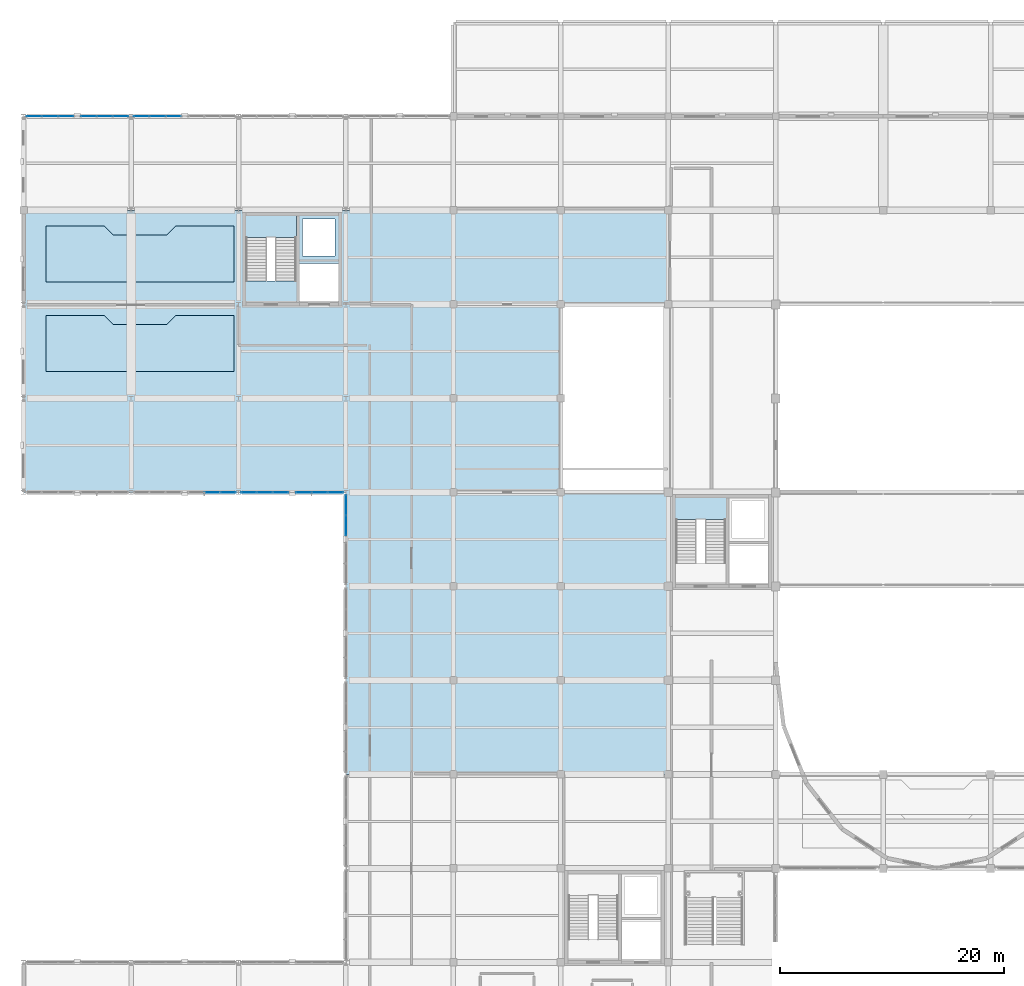
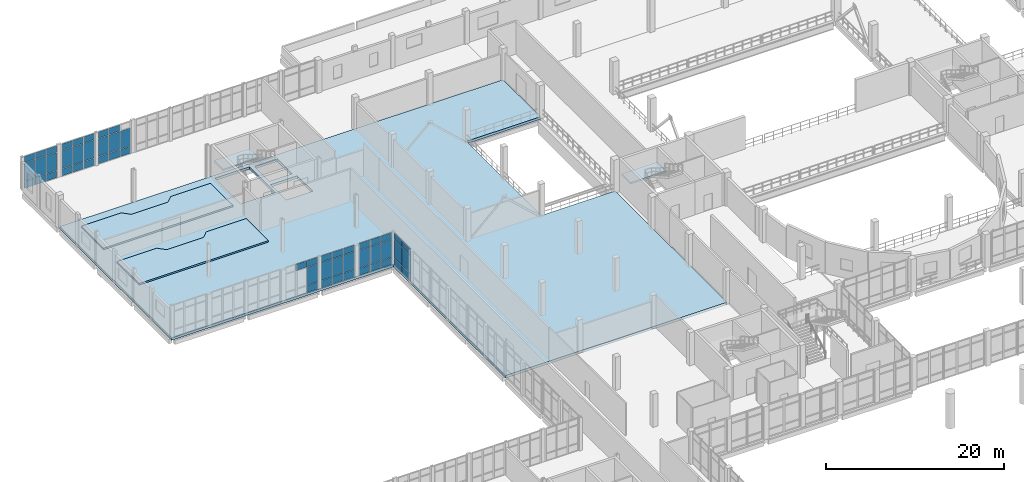
# One storey, part 81 of 102: 54 plates, 5 slabs, 9 elements without a shape of their own.
"""IFC4 building model written with IfcOpenShell, lengths in metres."""

from ifc_helpers import new_model, si_unit, direction, frame, origin, origin_2d, place, context, subcontext, project, spatial, polyline, rectangle, outline, extrude, material, layer, layer_set, type_object, element, aggregate, save


model = new_model("IFC4")

# Units and contexts
model_context = context("Model", 3, precision=1e-05, world=origin(), true_north=direction((0.0, 1.0)))
body_context = subcontext(model_context, "Body", "Model", "MODEL_VIEW")
ifc_project = project(units=[si_unit("LENGTHUNIT", "METRE"), si_unit("AREAUNIT", "SQUARE_METRE"), si_unit("VOLUMEUNIT", "CUBIC_METRE"), si_unit("PLANEANGLEUNIT", "RADIAN"), si_unit("MASSUNIT", "GRAM", prefix="KILO")], contexts=[model_context])

# Site, building, storey
site_placement = place(None, origin())
site = spatial("IfcSite", under=ifc_project, at=site_placement, CompositionType="ELEMENT")
building_placement = place(site_placement, origin())
building = spatial("IfcBuilding", under=site, at=building_placement, Name="Lornevale Opera House", CompositionType="ELEMENT")
storey_placement = place(building_placement, frame((0.0, 0.0, 5.39990234375)))
storey = spatial("IfcBuildingStorey", under=building, at=storey_placement, Name="L02", CompositionType="ELEMENT", Elevation=5.39990234375)

# Curtain wall, plates
ifc_material_1 = material(Name="Anodized Oxide-Green Aluminium Framing", Category="aluminium")
ifc_layer_1 = layer(ifc_material_1, 0.175048828125)
ifc_layer_set_1 = layer_set([ifc_layer_1], Name="Anodized Oxide-Green Aluminium Framing")
curtain_wall_type = type_object("IfcCurtainWallType", Name="Chamber Cloister Curtain Wall M1700", PredefinedType="NOTDEFINED", material=ifc_layer_set_1)
curtain_wall_1_placement = place(storey_placement, origin())
curtain_wall_1 = element("IfcCurtainWall", 1, at=curtain_wall_1_placement, inside=storey, type_object=curtain_wall_type, Name="Chamber Cloister Curtain Wall M1700 CW-027", PredefinedType="NOTDEFINED")
ifc_material_2 = material(Name="Triple Low-E Insulated Glazing", Category="glass")
ifc_layer_2 = layer(ifc_material_2, 0.0419921875)
ifc_layer_set_2 = layer_set([ifc_layer_2], Name="Triple Low-E Insulated Glazing")
plate_type = type_object("IfcPlateType", Name="Ceramic Fritted Bird-Safe Panel 42", PredefinedType="CURTAIN_PANEL", material=ifc_layer_set_2)
plate_1_placement = place(storey_placement, frame((0.930419921875, 100.800048828125, 0.0654296875), z_axis=(0.0, 0.0, 1.0), x_axis=(1.0, 0.0, 0.0)))
plate_1 = element("IfcPlate", 2, at=plate_1_placement, type_object=plate_type, Name="Ceramic Fritted Bird-Safe Panel 42 CW0491", PredefinedType="CURTAIN_PANEL", context=body_context, shape_type="SweptSolid", body=[
    extrude(rectangle(XDim=1.3447265625, YDim=0.0419921875, at=origin_2d()), origin(), (0.0, 0.0, 1.0), 0.952392578125),
])
plate_2_placement = place(storey_placement, frame((0.930419921875, 100.800048828125, 1.08251953125), z_axis=(0.0, 0.0, 1.0), x_axis=(1.0, 0.0, 0.0)))
plate_2 = element("IfcPlate", 3, at=plate_2_placement, type_object=plate_type, Name="Ceramic Fritted Bird-Safe Panel 42 CW0492", PredefinedType="CURTAIN_PANEL", context=body_context, shape_type="SweptSolid", body=[
    extrude(rectangle(XDim=1.3447265625, YDim=0.0419921875, at=origin_2d()), origin(), (0.0, 0.0, 1.0), 2.455078125),
])
plate_3_placement = place(storey_placement, frame((0.930419921875, 100.800048828125, 3.6025390625), z_axis=(0.0, 0.0, 1.0), x_axis=(1.0, 0.0, 0.0)))
plate_3 = element("IfcPlate", 4, at=plate_3_placement, type_object=plate_type, Name="Ceramic Fritted Bird-Safe Panel 42 CW0493", PredefinedType="CURTAIN_PANEL", context=body_context, shape_type="SweptSolid", body=[
    extrude(rectangle(XDim=1.3447265625, YDim=0.0419921875, at=origin_2d()), origin(), (0.0, 0.0, 1.0), 0.8525390625),
])
plate_4_placement = place(storey_placement, frame((2.3564453125, 100.800048828125, 0.0654296875), z_axis=(0.0, 0.0, 1.0), x_axis=(1.0, 0.0, 0.0)))
plate_4 = element("IfcPlate", 5, at=plate_4_placement, type_object=plate_type, Name="Ceramic Fritted Bird-Safe Panel 42 CW0498", PredefinedType="CURTAIN_PANEL", context=body_context, shape_type="SweptSolid", body=[
    extrude(rectangle(XDim=1.377197265625, YDim=0.0419921875, at=origin_2d()), origin(), (0.0, 0.0, 1.0), 0.952392578125),
])
plate_5_placement = place(storey_placement, frame((2.3564453125, 100.800048828125, 1.08251953125), z_axis=(0.0, 0.0, 1.0), x_axis=(1.0, 0.0, 0.0)))
plate_5 = element("IfcPlate", 6, at=plate_5_placement, type_object=plate_type, Name="Ceramic Fritted Bird-Safe Panel 42 CW0499", PredefinedType="CURTAIN_PANEL", context=body_context, shape_type="SweptSolid", body=[
    extrude(rectangle(XDim=1.377197265625, YDim=0.0419921875, at=origin_2d()), origin(), (0.0, 0.0, 1.0), 2.455078125),
])
plate_6_placement = place(storey_placement, frame((2.3564453125, 100.800048828125, 3.6025390625), z_axis=(0.0, 0.0, 1.0), x_axis=(1.0, 0.0, 0.0)))
plate_6 = element("IfcPlate", 7, at=plate_6_placement, type_object=plate_type, Name="Ceramic Fritted Bird-Safe Panel 42 CW0500", PredefinedType="CURTAIN_PANEL", context=body_context, shape_type="SweptSolid", body=[
    extrude(rectangle(XDim=1.377197265625, YDim=0.0419921875, at=origin_2d()), origin(), (0.0, 0.0, 1.0), 0.8525390625),
])
plate_7_placement = place(storey_placement, frame((3.78271484375, 100.800048828125, 0.0654296875), z_axis=(0.0, 0.0, 1.0), x_axis=(1.0, 0.0, 0.0)))
plate_7 = element("IfcPlate", 8, at=plate_7_placement, type_object=plate_type, Name="Ceramic Fritted Bird-Safe Panel 42 CW0505", PredefinedType="CURTAIN_PANEL", context=body_context, shape_type="SweptSolid", body=[
    extrude(rectangle(XDim=1.3447265625, YDim=0.0419921875, at=origin_2d()), origin(), (0.0, 0.0, 1.0), 0.952392578125),
])
plate_8_placement = place(storey_placement, frame((3.78271484375, 100.800048828125, 1.08251953125), z_axis=(0.0, 0.0, 1.0), x_axis=(1.0, 0.0, 0.0)))
plate_8 = element("IfcPlate", 9, at=plate_8_placement, type_object=plate_type, Name="Ceramic Fritted Bird-Safe Panel 42 CW0506", PredefinedType="CURTAIN_PANEL", context=body_context, shape_type="SweptSolid", body=[
    extrude(rectangle(XDim=1.3447265625, YDim=0.0419921875, at=origin_2d()), origin(), (0.0, 0.0, 1.0), 2.455078125),
])
plate_9_placement = place(storey_placement, frame((3.78271484375, 100.800048828125, 3.6025390625), z_axis=(0.0, 0.0, 1.0), x_axis=(1.0, 0.0, 0.0)))
plate_9 = element("IfcPlate", 10, at=plate_9_placement, type_object=plate_type, Name="Ceramic Fritted Bird-Safe Panel 42 CW0507", PredefinedType="CURTAIN_PANEL", context=body_context, shape_type="SweptSolid", body=[
    extrude(rectangle(XDim=1.3447265625, YDim=0.0419921875, at=origin_2d()), origin(), (0.0, 0.0, 1.0), 0.8525390625),
])
aggregate(curtain_wall_1, [plate_1, plate_2, plate_3, plate_4, plate_5, plate_6, plate_7, plate_8, plate_9])

curtain_wall_2_placement = place(storey_placement, origin())
curtain_wall_2 = element("IfcCurtainWall", 11, at=curtain_wall_2_placement, inside=storey, type_object=curtain_wall_type, Name="Chamber Cloister Curtain Wall M1700 CW-028", PredefinedType="NOTDEFINED")
plate_10_placement = place(storey_placement, frame((5.8173828125, 100.800048828125, 0.0654296875), z_axis=(0.0, 0.0, 1.0), x_axis=(1.0, 0.0, 0.0)))
plate_10 = element("IfcPlate", 12, at=plate_10_placement, type_object=plate_type, Name="Ceramic Fritted Bird-Safe Panel 42 CW0516", PredefinedType="CURTAIN_PANEL", context=body_context, shape_type="SweptSolid", body=[
    extrude(rectangle(XDim=1.3447265625, YDim=0.0419921875, at=origin_2d()), origin(), (0.0, 0.0, 1.0), 0.952392578125),
])
plate_11_placement = place(storey_placement, frame((5.8173828125, 100.800048828125, 1.08251953125), z_axis=(0.0, 0.0, 1.0), x_axis=(1.0, 0.0, 0.0)))
plate_11 = element("IfcPlate", 13, at=plate_11_placement, type_object=plate_type, Name="Ceramic Fritted Bird-Safe Panel 42 CW0517", PredefinedType="CURTAIN_PANEL", context=body_context, shape_type="SweptSolid", body=[
    extrude(rectangle(XDim=1.3447265625, YDim=0.0419921875, at=origin_2d()), origin(), (0.0, 0.0, 1.0), 2.455078125),
])
plate_12_placement = place(storey_placement, frame((5.8173828125, 100.800048828125, 3.6025390625), z_axis=(0.0, 0.0, 1.0), x_axis=(1.0, 0.0, 0.0)))
plate_12 = element("IfcPlate", 14, at=plate_12_placement, type_object=plate_type, Name="Ceramic Fritted Bird-Safe Panel 42 CW0518", PredefinedType="CURTAIN_PANEL", context=body_context, shape_type="SweptSolid", body=[
    extrude(rectangle(XDim=1.3447265625, YDim=0.0419921875, at=origin_2d()), origin(), (0.0, 0.0, 1.0), 0.8525390625),
])
plate_13_placement = place(storey_placement, frame((7.243408203125, 100.800048828125, 0.0654296875), z_axis=(0.0, 0.0, 1.0), x_axis=(1.0, 0.0, 0.0)))
plate_13 = element("IfcPlate", 15, at=plate_13_placement, type_object=plate_type, Name="Ceramic Fritted Bird-Safe Panel 42 CW0523", PredefinedType="CURTAIN_PANEL", context=body_context, shape_type="SweptSolid", body=[
    extrude(rectangle(XDim=1.377197265625, YDim=0.0419921875, at=origin_2d()), origin(), (0.0, 0.0, 1.0), 0.952392578125),
])
plate_14_placement = place(storey_placement, frame((7.243408203125, 100.800048828125, 1.08251953125), z_axis=(0.0, 0.0, 1.0), x_axis=(1.0, 0.0, 0.0)))
plate_14 = element("IfcPlate", 16, at=plate_14_placement, type_object=plate_type, Name="Ceramic Fritted Bird-Safe Panel 42 CW0524", PredefinedType="CURTAIN_PANEL", context=body_context, shape_type="SweptSolid", body=[
    extrude(rectangle(XDim=1.377197265625, YDim=0.0419921875, at=origin_2d()), origin(), (0.0, 0.0, 1.0), 2.455078125),
])
plate_15_placement = place(storey_placement, frame((7.243408203125, 100.800048828125, 3.6025390625), z_axis=(0.0, 0.0, 1.0), x_axis=(1.0, 0.0, 0.0)))
plate_15 = element("IfcPlate", 17, at=plate_15_placement, type_object=plate_type, Name="Ceramic Fritted Bird-Safe Panel 42 CW0525", PredefinedType="CURTAIN_PANEL", context=body_context, shape_type="SweptSolid", body=[
    extrude(rectangle(XDim=1.377197265625, YDim=0.0419921875, at=origin_2d()), origin(), (0.0, 0.0, 1.0), 0.8525390625),
])
plate_16_placement = place(storey_placement, frame((8.669677734375, 100.800048828125, 0.0654296875), z_axis=(0.0, 0.0, 1.0), x_axis=(1.0, 0.0, 0.0)))
plate_16 = element("IfcPlate", 18, at=plate_16_placement, type_object=plate_type, Name="Ceramic Fritted Bird-Safe Panel 42 CW0530", PredefinedType="CURTAIN_PANEL", context=body_context, shape_type="SweptSolid", body=[
    extrude(rectangle(XDim=1.3447265625, YDim=0.0419921875, at=origin_2d()), origin(), (0.0, 0.0, 1.0), 0.952392578125),
])
plate_17_placement = place(storey_placement, frame((8.669677734375, 100.800048828125, 1.08251953125), z_axis=(0.0, 0.0, 1.0), x_axis=(1.0, 0.0, 0.0)))
plate_17 = element("IfcPlate", 19, at=plate_17_placement, type_object=plate_type, Name="Ceramic Fritted Bird-Safe Panel 42 CW0531", PredefinedType="CURTAIN_PANEL", context=body_context, shape_type="SweptSolid", body=[
    extrude(rectangle(XDim=1.3447265625, YDim=0.0419921875, at=origin_2d()), origin(), (0.0, 0.0, 1.0), 2.455078125),
])
plate_18_placement = place(storey_placement, frame((8.669677734375, 100.800048828125, 3.6025390625), z_axis=(0.0, 0.0, 1.0), x_axis=(1.0, 0.0, 0.0)))
plate_18 = element("IfcPlate", 20, at=plate_18_placement, type_object=plate_type, Name="Ceramic Fritted Bird-Safe Panel 42 CW0532", PredefinedType="CURTAIN_PANEL", context=body_context, shape_type="SweptSolid", body=[
    extrude(rectangle(XDim=1.3447265625, YDim=0.0419921875, at=origin_2d()), origin(), (0.0, 0.0, 1.0), 0.8525390625),
])
aggregate(curtain_wall_2, [plate_10, plate_11, plate_12, plate_13, plate_14, plate_15, plate_16, plate_17, plate_18])

curtain_wall_3_placement = place(storey_placement, origin())
curtain_wall_3 = element("IfcCurtainWall", 21, at=curtain_wall_3_placement, inside=storey, type_object=curtain_wall_type, Name="Chamber Cloister Curtain Wall M1700 CW-033", PredefinedType="NOTDEFINED")
plate_19_placement = place(storey_placement, frame((18.26953125, 67.199951171875, 0.0654296875), z_axis=(0.0, 0.0, 1.0), x_axis=(-1.0, 0.0, 0.0)))
plate_19 = element("IfcPlate", 22, at=plate_19_placement, type_object=plate_type, Name="Ceramic Fritted Bird-Safe Panel 42 CW0641", PredefinedType="CURTAIN_PANEL", context=body_context, shape_type="SweptSolid", body=[
    extrude(rectangle(XDim=1.3447265625, YDim=0.0419921875, at=origin_2d()), origin(), (0.0, 0.0, 1.0), 0.952392578125),
])
plate_20_placement = place(storey_placement, frame((18.26953125, 67.199951171875, 1.08251953125), z_axis=(0.0, 0.0, 1.0), x_axis=(-1.0, 0.0, 0.0)))
plate_20 = element("IfcPlate", 23, at=plate_20_placement, type_object=plate_type, Name="Ceramic Fritted Bird-Safe Panel 42 CW0642", PredefinedType="CURTAIN_PANEL", context=body_context, shape_type="SweptSolid", body=[
    extrude(rectangle(XDim=1.3447265625, YDim=0.0419921875, at=origin_2d()), origin(), (0.0, 0.0, 1.0), 2.455078125),
])
plate_21_placement = place(storey_placement, frame((18.26953125, 67.199951171875, 3.6025390625), z_axis=(0.0, 0.0, 1.0), x_axis=(-1.0, 0.0, 0.0)))
plate_21 = element("IfcPlate", 24, at=plate_21_placement, type_object=plate_type, Name="Ceramic Fritted Bird-Safe Panel 42 CW0643", PredefinedType="CURTAIN_PANEL", context=body_context, shape_type="SweptSolid", body=[
    extrude(rectangle(XDim=1.3447265625, YDim=0.0419921875, at=origin_2d()), origin(), (0.0, 0.0, 1.0), 0.8525390625),
])
plate_22_placement = place(storey_placement, frame((16.843505859375, 67.199951171875, 3.6025390625), z_axis=(0.0, 0.0, 1.0), x_axis=(-1.0, 0.0, 0.0)))
plate_22 = element("IfcPlate", 25, at=plate_22_placement, type_object=plate_type, Name="Ceramic Fritted Bird-Safe Panel 42 CW0650", PredefinedType="CURTAIN_PANEL", context=body_context, shape_type="SweptSolid", body=[
    extrude(rectangle(XDim=1.377197265625, YDim=0.0419921875, at=origin_2d()), origin(), (0.0, 0.0, 1.0), 0.8525390625),
])
aggregate(curtain_wall_3, [plate_19, plate_20, plate_21, plate_22])

curtain_wall_4_placement = place(storey_placement, origin())
curtain_wall_4 = element("IfcCurtainWall", 26, at=curtain_wall_4_placement, inside=storey, type_object=curtain_wall_type, Name="Chamber Cloister Curtain Wall M1700 CW-035", PredefinedType="NOTDEFINED")
plate_23_placement = place(storey_placement, frame((10.530517578125, 100.800048828125, 0.0654296875), z_axis=(0.0, 0.0, 1.0), x_axis=(1.0, 0.0, 0.0)))
plate_23 = element("IfcPlate", 27, at=plate_23_placement, type_object=plate_type, Name="Ceramic Fritted Bird-Safe Panel 42 CW0691", PredefinedType="CURTAIN_PANEL", context=body_context, shape_type="SweptSolid", body=[
    extrude(rectangle(XDim=1.3447265625, YDim=0.0419921875, at=origin_2d()), origin(), (0.0, 0.0, 1.0), 0.952392578125),
])
plate_24_placement = place(storey_placement, frame((10.530517578125, 100.800048828125, 1.08251953125), z_axis=(0.0, 0.0, 1.0), x_axis=(1.0, 0.0, 0.0)))
plate_24 = element("IfcPlate", 28, at=plate_24_placement, type_object=plate_type, Name="Ceramic Fritted Bird-Safe Panel 42 CW0692", PredefinedType="CURTAIN_PANEL", context=body_context, shape_type="SweptSolid", body=[
    extrude(rectangle(XDim=1.3447265625, YDim=0.0419921875, at=origin_2d()), origin(), (0.0, 0.0, 1.0), 2.455078125),
])
plate_25_placement = place(storey_placement, frame((10.530517578125, 100.800048828125, 3.6025390625), z_axis=(0.0, 0.0, 1.0), x_axis=(1.0, 0.0, 0.0)))
plate_25 = element("IfcPlate", 29, at=plate_25_placement, type_object=plate_type, Name="Ceramic Fritted Bird-Safe Panel 42 CW0693", PredefinedType="CURTAIN_PANEL", context=body_context, shape_type="SweptSolid", body=[
    extrude(rectangle(XDim=1.3447265625, YDim=0.0419921875, at=origin_2d()), origin(), (0.0, 0.0, 1.0), 0.8525390625),
])
plate_26_placement = place(storey_placement, frame((11.95654296875, 100.800048828125, 0.0654296875), z_axis=(0.0, 0.0, 1.0), x_axis=(1.0, 0.0, 0.0)))
plate_26 = element("IfcPlate", 30, at=plate_26_placement, type_object=plate_type, Name="Ceramic Fritted Bird-Safe Panel 42 CW0698", PredefinedType="CURTAIN_PANEL", context=body_context, shape_type="SweptSolid", body=[
    extrude(rectangle(XDim=1.377197265625, YDim=0.0419921875, at=origin_2d()), origin(), (0.0, 0.0, 1.0), 0.952392578125),
])
plate_27_placement = place(storey_placement, frame((11.95654296875, 100.800048828125, 1.08251953125), z_axis=(0.0, 0.0, 1.0), x_axis=(1.0, 0.0, 0.0)))
plate_27 = element("IfcPlate", 31, at=plate_27_placement, type_object=plate_type, Name="Ceramic Fritted Bird-Safe Panel 42 CW0699", PredefinedType="CURTAIN_PANEL", context=body_context, shape_type="SweptSolid", body=[
    extrude(rectangle(XDim=1.377197265625, YDim=0.0419921875, at=origin_2d()), origin(), (0.0, 0.0, 1.0), 2.455078125),
])
plate_28_placement = place(storey_placement, frame((11.95654296875, 100.800048828125, 3.6025390625), z_axis=(0.0, 0.0, 1.0), x_axis=(1.0, 0.0, 0.0)))
plate_28 = element("IfcPlate", 32, at=plate_28_placement, type_object=plate_type, Name="Ceramic Fritted Bird-Safe Panel 42 CW0700", PredefinedType="CURTAIN_PANEL", context=body_context, shape_type="SweptSolid", body=[
    extrude(rectangle(XDim=1.377197265625, YDim=0.0419921875, at=origin_2d()), origin(), (0.0, 0.0, 1.0), 0.8525390625),
])
plate_29_placement = place(storey_placement, frame((13.382568359375, 100.800048828125, 0.0654296875), z_axis=(0.0, 0.0, 1.0), x_axis=(1.0, 0.0, 0.0)))
plate_29 = element("IfcPlate", 33, at=plate_29_placement, type_object=plate_type, Name="Ceramic Fritted Bird-Safe Panel 42 CW0705", PredefinedType="CURTAIN_PANEL", context=body_context, shape_type="SweptSolid", body=[
    extrude(rectangle(XDim=1.3447265625, YDim=0.0419921875, at=origin_2d()), origin(), (0.0, 0.0, 1.0), 0.952392578125),
])
plate_30_placement = place(storey_placement, frame((13.382568359375, 100.800048828125, 1.08251953125), z_axis=(0.0, 0.0, 1.0), x_axis=(1.0, 0.0, 0.0)))
plate_30 = element("IfcPlate", 34, at=plate_30_placement, type_object=plate_type, Name="Ceramic Fritted Bird-Safe Panel 42 CW0706", PredefinedType="CURTAIN_PANEL", context=body_context, shape_type="SweptSolid", body=[
    extrude(rectangle(XDim=1.3447265625, YDim=0.0419921875, at=origin_2d()), origin(), (0.0, 0.0, 1.0), 2.455078125),
])
aggregate(curtain_wall_4, [plate_23, plate_24, plate_25, plate_26, plate_27, plate_28, plate_29, plate_30])

curtain_wall_5_placement = place(storey_placement, origin())
curtain_wall_5 = element("IfcCurtainWall", 35, at=curtain_wall_5_placement, inside=storey, type_object=curtain_wall_type, Name="Chamber Cloister Curtain Wall M1700 CW-041", PredefinedType="NOTDEFINED")
plate_31_placement = place(storey_placement, frame((27.86962890625, 67.199951171875, 0.0654296875), z_axis=(0.0, 0.0, 1.0), x_axis=(-1.0, 0.0, 0.0)))
plate_31 = element("IfcPlate", 36, at=plate_31_placement, type_object=plate_type, Name="Ceramic Fritted Bird-Safe Panel 42 CW0841", PredefinedType="CURTAIN_PANEL", context=body_context, shape_type="SweptSolid", body=[
    extrude(rectangle(XDim=1.3447265625, YDim=0.0419921875, at=origin_2d()), origin(), (0.0, 0.0, 1.0), 0.952392578125),
])
plate_32_placement = place(storey_placement, frame((27.86962890625, 67.199951171875, 1.08251953125), z_axis=(0.0, 0.0, 1.0), x_axis=(-1.0, 0.0, 0.0)))
plate_32 = element("IfcPlate", 37, at=plate_32_placement, type_object=plate_type, Name="Ceramic Fritted Bird-Safe Panel 42 CW0842", PredefinedType="CURTAIN_PANEL", context=body_context, shape_type="SweptSolid", body=[
    extrude(rectangle(XDim=1.3447265625, YDim=0.0419921875, at=origin_2d()), origin(), (0.0, 0.0, 1.0), 2.455078125),
])
plate_33_placement = place(storey_placement, frame((27.86962890625, 67.199951171875, 3.6025390625), z_axis=(0.0, 0.0, 1.0), x_axis=(-1.0, 0.0, 0.0)))
plate_33 = element("IfcPlate", 38, at=plate_33_placement, type_object=plate_type, Name="Ceramic Fritted Bird-Safe Panel 42 CW0843", PredefinedType="CURTAIN_PANEL", context=body_context, shape_type="SweptSolid", body=[
    extrude(rectangle(XDim=1.3447265625, YDim=0.0419921875, at=origin_2d()), origin(), (0.0, 0.0, 1.0), 0.8525390625),
])
plate_34_placement = place(storey_placement, frame((26.443603515625, 67.199951171875, 0.0654296875), z_axis=(0.0, 0.0, 1.0), x_axis=(-1.0, 0.0, 0.0)))
plate_34 = element("IfcPlate", 39, at=plate_34_placement, type_object=plate_type, Name="Ceramic Fritted Bird-Safe Panel 42 CW0848", PredefinedType="CURTAIN_PANEL", context=body_context, shape_type="SweptSolid", body=[
    extrude(rectangle(XDim=1.377197265625, YDim=0.0419921875, at=origin_2d()), origin(), (0.0, 0.0, 1.0), 0.952392578125),
])
plate_35_placement = place(storey_placement, frame((26.443603515625, 67.199951171875, 1.08251953125), z_axis=(0.0, 0.0, 1.0), x_axis=(-1.0, 0.0, 0.0)))
plate_35 = element("IfcPlate", 40, at=plate_35_placement, type_object=plate_type, Name="Ceramic Fritted Bird-Safe Panel 42 CW0849", PredefinedType="CURTAIN_PANEL", context=body_context, shape_type="SweptSolid", body=[
    extrude(rectangle(XDim=1.377197265625, YDim=0.0419921875, at=origin_2d()), origin(), (0.0, 0.0, 1.0), 2.455078125),
])
plate_36_placement = place(storey_placement, frame((26.443603515625, 67.199951171875, 3.6025390625), z_axis=(0.0, 0.0, 1.0), x_axis=(-1.0, 0.0, 0.0)))
plate_36 = element("IfcPlate", 41, at=plate_36_placement, type_object=plate_type, Name="Ceramic Fritted Bird-Safe Panel 42 CW0850", PredefinedType="CURTAIN_PANEL", context=body_context, shape_type="SweptSolid", body=[
    extrude(rectangle(XDim=1.377197265625, YDim=0.0419921875, at=origin_2d()), origin(), (0.0, 0.0, 1.0), 0.8525390625),
])
plate_37_placement = place(storey_placement, frame((25.017333984375, 67.199951171875, 0.0654296875), z_axis=(0.0, 0.0, 1.0), x_axis=(-1.0, 0.0, 0.0)))
plate_37 = element("IfcPlate", 42, at=plate_37_placement, type_object=plate_type, Name="Ceramic Fritted Bird-Safe Panel 42 CW0855", PredefinedType="CURTAIN_PANEL", context=body_context, shape_type="SweptSolid", body=[
    extrude(rectangle(XDim=1.3447265625, YDim=0.0419921875, at=origin_2d()), origin(), (0.0, 0.0, 1.0), 0.952392578125),
])
plate_38_placement = place(storey_placement, frame((25.017333984375, 67.199951171875, 1.08251953125), z_axis=(0.0, 0.0, 1.0), x_axis=(-1.0, 0.0, 0.0)))
plate_38 = element("IfcPlate", 43, at=plate_38_placement, type_object=plate_type, Name="Ceramic Fritted Bird-Safe Panel 42 CW0856", PredefinedType="CURTAIN_PANEL", context=body_context, shape_type="SweptSolid", body=[
    extrude(rectangle(XDim=1.3447265625, YDim=0.0419921875, at=origin_2d()), origin(), (0.0, 0.0, 1.0), 2.455078125),
])
plate_39_placement = place(storey_placement, frame((25.017333984375, 67.199951171875, 3.6025390625), z_axis=(0.0, 0.0, 1.0), x_axis=(-1.0, 0.0, 0.0)))
plate_39 = element("IfcPlate", 44, at=plate_39_placement, type_object=plate_type, Name="Ceramic Fritted Bird-Safe Panel 42 CW0857", PredefinedType="CURTAIN_PANEL", context=body_context, shape_type="SweptSolid", body=[
    extrude(rectangle(XDim=1.3447265625, YDim=0.0419921875, at=origin_2d()), origin(), (0.0, 0.0, 1.0), 0.8525390625),
])
aggregate(curtain_wall_5, [plate_31, plate_32, plate_33, plate_34, plate_35, plate_36, plate_37, plate_38, plate_39])

curtain_wall_6_placement = place(storey_placement, origin())
curtain_wall_6 = element("IfcCurtainWall", 45, at=curtain_wall_6_placement, inside=storey, type_object=curtain_wall_type, Name="Chamber Cloister Curtain Wall M1700 CW-042", PredefinedType="NOTDEFINED")
plate_40_placement = place(storey_placement, frame((22.982666015625, 67.199951171875, 0.0654296875), z_axis=(0.0, 0.0, 1.0), x_axis=(-1.0, 0.0, 0.0)))
plate_40 = element("IfcPlate", 46, at=plate_40_placement, type_object=plate_type, Name="Ceramic Fritted Bird-Safe Panel 42 CW0866", PredefinedType="CURTAIN_PANEL", context=body_context, shape_type="SweptSolid", body=[
    extrude(rectangle(XDim=1.3447265625, YDim=0.0419921875, at=origin_2d()), origin(), (0.0, 0.0, 1.0), 0.952392578125),
])
plate_41_placement = place(storey_placement, frame((22.982666015625, 67.199951171875, 1.08251953125), z_axis=(0.0, 0.0, 1.0), x_axis=(-1.0, 0.0, 0.0)))
plate_41 = element("IfcPlate", 47, at=plate_41_placement, type_object=plate_type, Name="Ceramic Fritted Bird-Safe Panel 42 CW0867", PredefinedType="CURTAIN_PANEL", context=body_context, shape_type="SweptSolid", body=[
    extrude(rectangle(XDim=1.3447265625, YDim=0.0419921875, at=origin_2d()), origin(), (0.0, 0.0, 1.0), 2.455078125),
])
plate_42_placement = place(storey_placement, frame((22.982666015625, 67.199951171875, 3.6025390625), z_axis=(0.0, 0.0, 1.0), x_axis=(-1.0, 0.0, 0.0)))
plate_42 = element("IfcPlate", 48, at=plate_42_placement, type_object=plate_type, Name="Ceramic Fritted Bird-Safe Panel 42 CW0868", PredefinedType="CURTAIN_PANEL", context=body_context, shape_type="SweptSolid", body=[
    extrude(rectangle(XDim=1.3447265625, YDim=0.0419921875, at=origin_2d()), origin(), (0.0, 0.0, 1.0), 0.8525390625),
])
plate_43_placement = place(storey_placement, frame((21.556396484375, 67.199951171875, 0.0654296875), z_axis=(0.0, 0.0, 1.0), x_axis=(-1.0, 0.0, 0.0)))
plate_43 = element("IfcPlate", 49, at=plate_43_placement, type_object=plate_type, Name="Ceramic Fritted Bird-Safe Panel 42 CW0873", PredefinedType="CURTAIN_PANEL", context=body_context, shape_type="SweptSolid", body=[
    extrude(rectangle(XDim=1.377197265625, YDim=0.0419921875, at=origin_2d()), origin(), (0.0, 0.0, 1.0), 0.952392578125),
])
plate_44_placement = place(storey_placement, frame((21.556396484375, 67.199951171875, 1.08251953125), z_axis=(0.0, 0.0, 1.0), x_axis=(-1.0, 0.0, 0.0)))
plate_44 = element("IfcPlate", 50, at=plate_44_placement, type_object=plate_type, Name="Ceramic Fritted Bird-Safe Panel 42 CW0874", PredefinedType="CURTAIN_PANEL", context=body_context, shape_type="SweptSolid", body=[
    extrude(rectangle(XDim=1.377197265625, YDim=0.0419921875, at=origin_2d()), origin(), (0.0, 0.0, 1.0), 2.455078125),
])
plate_45_placement = place(storey_placement, frame((21.556396484375, 67.199951171875, 3.6025390625), z_axis=(0.0, 0.0, 1.0), x_axis=(-1.0, 0.0, 0.0)))
plate_45 = element("IfcPlate", 51, at=plate_45_placement, type_object=plate_type, Name="Ceramic Fritted Bird-Safe Panel 42 CW0875", PredefinedType="CURTAIN_PANEL", context=body_context, shape_type="SweptSolid", body=[
    extrude(rectangle(XDim=1.377197265625, YDim=0.0419921875, at=origin_2d()), origin(), (0.0, 0.0, 1.0), 0.8525390625),
])
plate_46_placement = place(storey_placement, frame((20.13037109375, 67.199951171875, 0.0654296875), z_axis=(0.0, 0.0, 1.0), x_axis=(-1.0, 0.0, 0.0)))
plate_46 = element("IfcPlate", 52, at=plate_46_placement, type_object=plate_type, Name="Ceramic Fritted Bird-Safe Panel 42 CW0880", PredefinedType="CURTAIN_PANEL", context=body_context, shape_type="SweptSolid", body=[
    extrude(rectangle(XDim=1.3447265625, YDim=0.0419921875, at=origin_2d()), origin(), (0.0, 0.0, 1.0), 0.952392578125),
])
plate_47_placement = place(storey_placement, frame((20.13037109375, 67.199951171875, 1.08251953125), z_axis=(0.0, 0.0, 1.0), x_axis=(-1.0, 0.0, 0.0)))
plate_47 = element("IfcPlate", 53, at=plate_47_placement, type_object=plate_type, Name="Ceramic Fritted Bird-Safe Panel 42 CW0881", PredefinedType="CURTAIN_PANEL", context=body_context, shape_type="SweptSolid", body=[
    extrude(rectangle(XDim=1.3447265625, YDim=0.0419921875, at=origin_2d()), origin(), (0.0, 0.0, 1.0), 2.455078125),
])
plate_48_placement = place(storey_placement, frame((20.13037109375, 67.199951171875, 3.6025390625), z_axis=(0.0, 0.0, 1.0), x_axis=(-1.0, 0.0, 0.0)))
plate_48 = element("IfcPlate", 54, at=plate_48_placement, type_object=plate_type, Name="Ceramic Fritted Bird-Safe Panel 42 CW0882", PredefinedType="CURTAIN_PANEL", context=body_context, shape_type="SweptSolid", body=[
    extrude(rectangle(XDim=1.3447265625, YDim=0.0419921875, at=origin_2d()), origin(), (0.0, 0.0, 1.0), 0.8525390625),
])
aggregate(curtain_wall_6, [plate_40, plate_41, plate_42, plate_43, plate_44, plate_45, plate_46, plate_47, plate_48])

curtain_wall_7_placement = place(storey_placement, origin())
curtain_wall_7 = element("IfcCurtainWall", 55, at=curtain_wall_7_placement, inside=storey, type_object=curtain_wall_type, Name="Chamber Cloister Curtain Wall M1700 CW-060", PredefinedType="NOTDEFINED")
plate_49_placement = place(storey_placement, frame((28.800048828125, 64.23046875, 0.0654296875), z_axis=(0.0, 0.0, 1.0), x_axis=(0.0, 1.0, 0.0)))
plate_49 = element("IfcPlate", 56, at=plate_49_placement, type_object=plate_type, Name="Ceramic Fritted Bird-Safe Panel 42 CW1203", PredefinedType="CURTAIN_PANEL", context=body_context, shape_type="SweptSolid", body=[
    extrude(rectangle(XDim=1.770751953125, YDim=0.0419921875, at=origin_2d()), origin(), (0.0, 0.0, 1.0), 0.952392578125),
])
plate_50_placement = place(storey_placement, frame((28.800048828125, 64.23046875, 1.08251953125), z_axis=(0.0, 0.0, 1.0), x_axis=(0.0, 1.0, 0.0)))
plate_50 = element("IfcPlate", 57, at=plate_50_placement, type_object=plate_type, Name="Ceramic Fritted Bird-Safe Panel 42 CW1204", PredefinedType="CURTAIN_PANEL", context=body_context, shape_type="SweptSolid", body=[
    extrude(rectangle(XDim=1.770751953125, YDim=0.0419921875, at=origin_2d()), origin(), (0.0, 0.0, 1.0), 2.455078125),
])
plate_51_placement = place(storey_placement, frame((28.800048828125, 64.23046875, 3.6025390625), z_axis=(0.0, 0.0, 1.0), x_axis=(0.0, 1.0, 0.0)))
plate_51 = element("IfcPlate", 58, at=plate_51_placement, type_object=plate_type, Name="Ceramic Fritted Bird-Safe Panel 42 CW1205", PredefinedType="CURTAIN_PANEL", context=body_context, shape_type="SweptSolid", body=[
    extrude(rectangle(XDim=1.770751953125, YDim=0.0419921875, at=origin_2d()), origin(), (0.0, 0.0, 1.0), 0.8525390625),
])
plate_52_placement = place(storey_placement, frame((28.800048828125, 66.066162109375, 0.0654296875), z_axis=(0.0, 0.0, 1.0), x_axis=(0.0, 1.0, 0.0)))
plate_52 = element("IfcPlate", 59, at=plate_52_placement, type_object=plate_type, Name="Ceramic Fritted Bird-Safe Panel 42 CW1210", PredefinedType="CURTAIN_PANEL", context=body_context, shape_type="SweptSolid", body=[
    extrude(rectangle(XDim=1.770751953125, YDim=0.0419921875, at=origin_2d()), origin(), (0.0, 0.0, 1.0), 0.952392578125),
])
plate_53_placement = place(storey_placement, frame((28.800048828125, 66.066162109375, 1.08251953125), z_axis=(0.0, 0.0, 1.0), x_axis=(0.0, 1.0, 0.0)))
plate_53 = element("IfcPlate", 60, at=plate_53_placement, type_object=plate_type, Name="Ceramic Fritted Bird-Safe Panel 42 CW1211", PredefinedType="CURTAIN_PANEL", context=body_context, shape_type="SweptSolid", body=[
    extrude(rectangle(XDim=1.770751953125, YDim=0.0419921875, at=origin_2d()), origin(), (0.0, 0.0, 1.0), 2.455078125),
])
plate_54_placement = place(storey_placement, frame((28.800048828125, 66.066162109375, 3.6025390625), z_axis=(0.0, 0.0, 1.0), x_axis=(0.0, 1.0, 0.0)))
plate_54 = element("IfcPlate", 61, at=plate_54_placement, type_object=plate_type, Name="Ceramic Fritted Bird-Safe Panel 42 CW1212", PredefinedType="CURTAIN_PANEL", context=body_context, shape_type="SweptSolid", body=[
    extrude(rectangle(XDim=1.770751953125, YDim=0.0419921875, at=origin_2d()), origin(), (0.0, 0.0, 1.0), 0.8525390625),
])
aggregate(curtain_wall_7, [plate_49, plate_50, plate_51, plate_52, plate_53, plate_54])

# Slabs
ifc_material_3 = material(Name="Concrete 35 MPa (CSA A23.1 N)", Category="concrete")
ifc_layer_3 = layer(ifc_material_3, 0.2099609375)
ifc_layer_set_3 = layer_set([ifc_layer_3], Name="Concrete 35 MPa (CSA A23.1 N)")
slab_type_1 = type_object("IfcSlabType", Name="Raked Seating Tier Platform 210", PredefinedType="USERDEFINED", material=ifc_layer_set_3)
slab_1_placement = place(storey_placement, frame((0.0, 0.0, -0.010009765625)))
element("IfcSlab", 62, at=slab_1_placement, inside=storey, type_object=slab_type_1, Name="Raked Seating Tier Platform 210 SL-105", ObjectType="SEATING TIER", PredefinedType="USERDEFINED", context=body_context, shape_type="SweptSolid", body=[
    extrude(outline(polyline([(2.0, 78.0), (18.800048828125, 78.0), (18.800048828125, 83.0), (13.60009765625, 83.0), (12.800048828125, 82.199951171875), (8.0, 82.199951171875), (7.199951171875, 83.0), (2.0, 83.0), (2.0, 78.0)])), origin(), (0.0, 0.0, 1.0), 0.22021484375),
])
slab_2_placement = place(storey_placement, frame((0.0, 0.0, -0.010009765625)))
element("IfcSlab", 63, at=slab_2_placement, inside=storey, type_object=slab_type_1, Name="Raked Seating Tier Platform 210 SL-106", ObjectType="SEATING TIER", PredefinedType="USERDEFINED", context=body_context, shape_type="SweptSolid", body=[
    extrude(outline(polyline([(2.0, 86.0), (18.800048828125, 86.0), (18.800048828125, 91.0), (13.60009765625, 91.0), (12.800048828125, 90.199951171875), (8.0, 90.199951171875), (7.199951171875, 91.0), (2.0, 91.0), (2.0, 86.0)])), origin(), (0.0, 0.0, 1.0), 0.22021484375),
])
ifc_layer_4 = layer(ifc_material_3, 0.35009765625)
ifc_layer_set_4 = layer_set([ifc_layer_4], Name="Concrete 35 MPa (CSA A23.1 N)")
slab_type_2 = type_object("IfcSlabType", Name="Rehearsal Stage Floating Slab 350", PredefinedType="FLOOR", material=ifc_layer_set_4)
slab_3_placement = place(storey_placement, frame((0.0, 0.0, -0.349853515625)))
element("IfcSlab", 64, at=slab_3_placement, inside=storey, type_object=slab_type_2, Name="Rehearsal Stage Floating Slab 350 SL-037", PredefinedType="FLOOR", context=body_context, shape_type="SweptSolid", body=[
    extrude(outline(polyline([(9.60009765625, 67.199951171875), (0.0, 67.199951171875), (0.0, 75.60009765625), (0.0, 84.0), (0.0, 92.39990234375), (9.60009765625, 92.39990234375), (19.199951171875, 92.39990234375), (28.800048828125, 92.39990234375), (38.39990234375, 92.39990234375), (48.0, 92.39990234375), (57.60009765625, 92.39990234375), (57.60009765625, 84.0), (48.0, 84.0), (48.0, 75.60009765625), (48.0, 67.199951171875), (57.60009765625, 67.199951171875), (57.60009765625, 58.800048828125), (57.60009765625, 50.39990234375), (57.60009765625, 42.0), (48.0, 42.0), (38.39990234375, 42.0), (28.800048828125, 42.0), (28.800048828125, 50.39990234375), (28.800048828125, 58.800048828125), (28.800048828125, 67.199951171875), (19.199951171875, 67.199951171875), (9.60009765625, 67.199951171875)]), holes=[polyline([(24.659912109375, 84.179931640625), (28.1201171875, 84.179931640625), (28.1201171875, 87.639892578125), (24.659912109375, 87.639892578125), (24.659912109375, 84.179931640625)]), polyline([(19.860107421875, 86.080078125), (24.340087890625, 86.080078125), (24.340087890625, 91.8798828125), (19.860107421875, 91.8798828125), (19.860107421875, 86.080078125)]), polyline([(24.89990234375, 88.300048828125), (27.800048828125, 88.300048828125), (27.800048828125, 91.639892578125), (24.89990234375, 91.639892578125), (24.89990234375, 88.300048828125)])]), origin(), (0.0, 0.0, 1.0), 0.349853515625),
])

# Stair, slab
ifc_layer_5 = layer(ifc_material_3, 4.800048828125)
ifc_layer_set_5 = layer_set([ifc_layer_5], Name="Concrete 35 MPa (CSA A23.1 N)")
stair_type = type_object("IfcStairType", Name="Protected Exit Stair 4800-W1840", PredefinedType="TWO_STRAIGHT_RUN_STAIR", material=ifc_layer_set_5)
stair_1_placement = place(storey_placement, origin())
stair_1 = element("IfcStair", 65, at=stair_1_placement, inside=storey, type_object=stair_type, Name="North-West Workshop Core Stair ST-14 (L02-L03)", PredefinedType="TWO_STRAIGHT_RUN_STAIR")
ifc_layer_6 = layer(ifc_material_3, 0.219970703125)
ifc_layer_set_6 = layer_set([ifc_layer_6], Name="Concrete 35 MPa (CSA A23.1 N)")
slab_type_3 = type_object("IfcSlabType", Name="Stair Half-Landing Slab 220", PredefinedType="LANDING", material=ifc_layer_set_6)
slab_4_placement = place(storey_placement, frame((0.0, 0.0, 2.18017578125)))
slab_4 = element("IfcSlab", 66, at=slab_4_placement, type_object=slab_type_3, Name="ST-14 Half-Landing SL-LND-014", PredefinedType="LANDING", context=body_context, shape_type="SweptSolid", body=[
    extrude(outline(polyline([(19.800048828125, 89.9599609375), (24.39990234375, 89.9599609375), (24.39990234375, 91.97998046875), (19.800048828125, 91.97998046875), (19.800048828125, 89.9599609375)])), origin(), (0.0, 0.0, 1.0), 0.219970703125),
])
aggregate(stair_1, [slab_4])

stair_2_placement = place(storey_placement, origin())
stair_2 = element("IfcStair", 67, at=stair_2_placement, inside=storey, type_object=stair_type, Name="Auditorium West Tier Core Stair ST-17 (L02-L03)", PredefinedType="TWO_STRAIGHT_RUN_STAIR")
slab_5_placement = place(storey_placement, frame((0.0, 0.0, 2.18017578125)))
slab_5 = element("IfcSlab", 68, at=slab_5_placement, type_object=slab_type_3, Name="ST-17 Half-Landing SL-LND-017", PredefinedType="LANDING", context=body_context, shape_type="SweptSolid", body=[
    extrude(outline(polyline([(58.199951171875, 64.760009765625), (62.800048828125, 64.760009765625), (62.800048828125, 66.780029296875), (58.199951171875, 66.780029296875), (58.199951171875, 64.760009765625)])), origin(), (0.0, 0.0, 1.0), 0.219970703125),
])
aggregate(stair_2, [slab_5])

save(model, "model.ifc")
